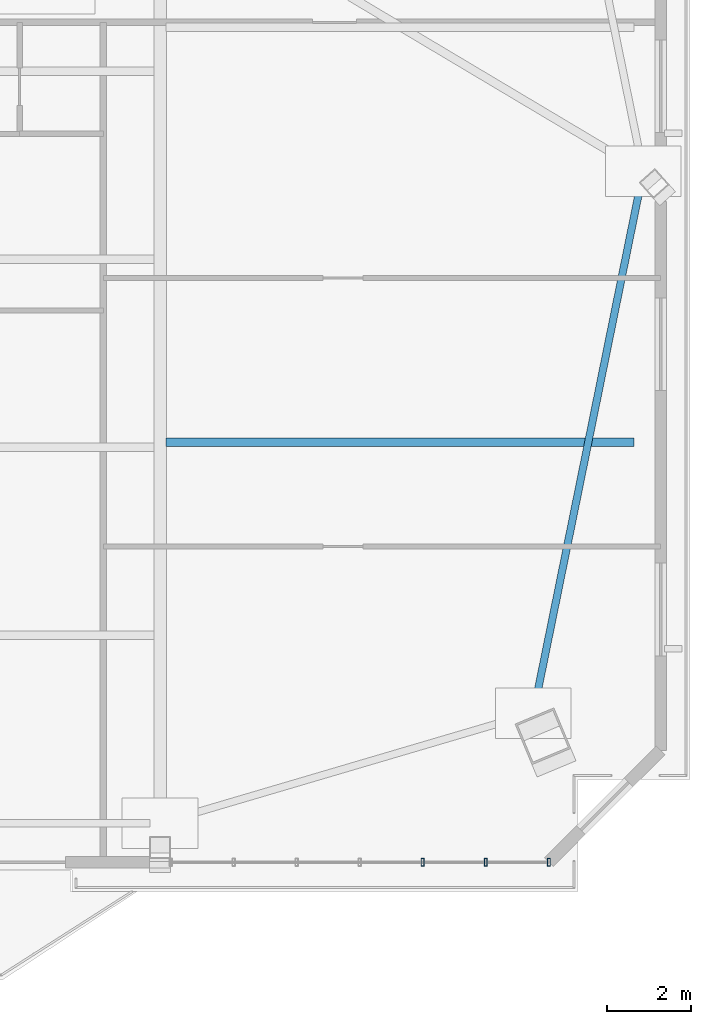
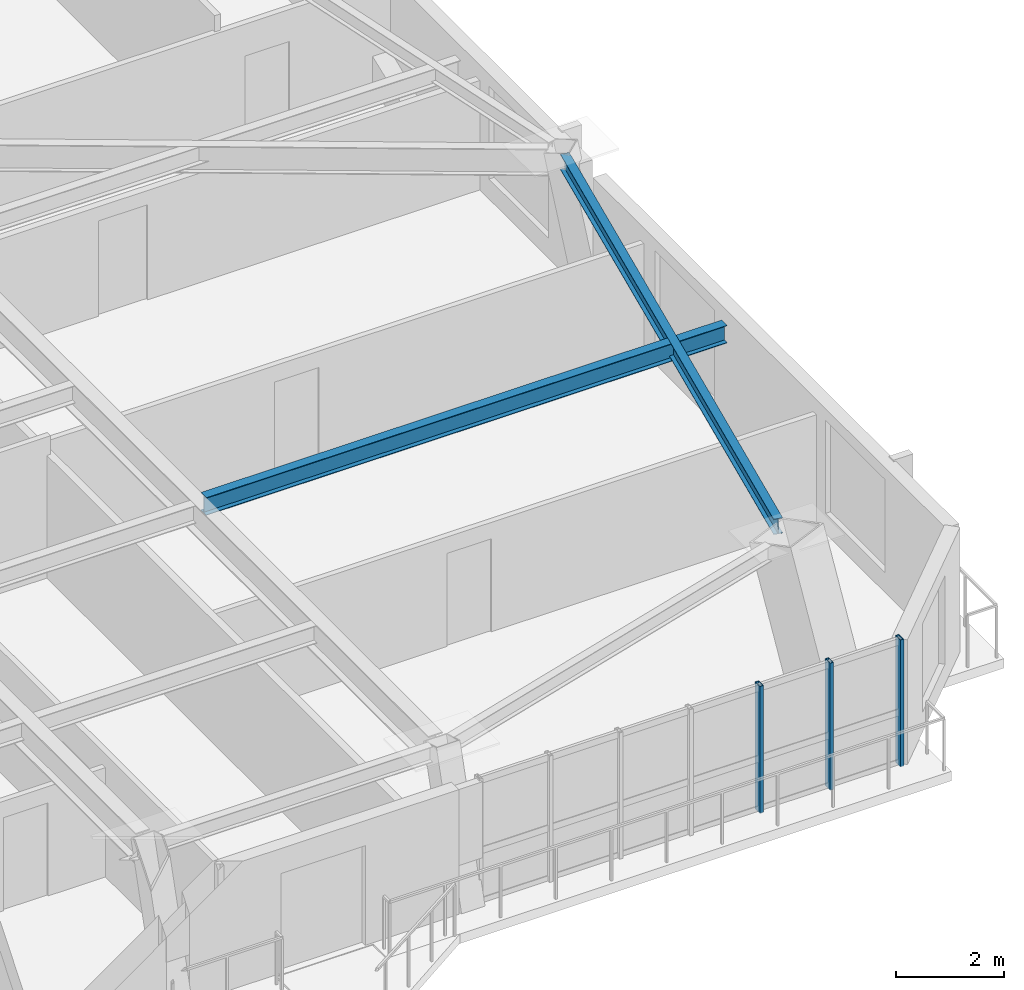
# One storey, part 6 of 18: 3 members, 2 beams, 1 element without a shape of its own.
"""IFC4 building model written with IfcOpenShell, lengths in metres."""

from ifc_helpers import new_model, si_unit, direction, frame, origin, origin_2d, place, context, subcontext, project, spatial, hollow_rectangle, i_section, extrude, source, transform, mapped, material, layer, layer_set, material_profile, profile_set, type_object, element, aggregate, save


model = new_model("IFC4")

# Units and contexts
model_context = context("Model", 3, precision=1e-05, world=origin(), true_north=direction((0.0, 1.0)))
body_context = subcontext(model_context, "Body", "Model", "MODEL_VIEW")
ifc_project = project(units=[si_unit("LENGTHUNIT", "METRE"), si_unit("AREAUNIT", "SQUARE_METRE"), si_unit("VOLUMEUNIT", "CUBIC_METRE"), si_unit("PLANEANGLEUNIT", "RADIAN"), si_unit("MASSUNIT", "GRAM", prefix="KILO")], contexts=[model_context])

# Site, building, storey
site_placement = place(None, origin())
site = spatial("IfcSite", under=ifc_project, at=site_placement, CompositionType="ELEMENT")
building_placement = place(site_placement, origin())
building = spatial("IfcBuilding", under=site, at=building_placement, Name="Giltprow Tower", CompositionType="ELEMENT")
storey_placement = place(building_placement, frame((0.0, 0.0, 245.10009765625)))
storey = spatial("IfcBuildingStorey", under=building, at=storey_placement, Name="L62", CompositionType="ELEMENT", Elevation=245.10009765625)

# Beams
ifc_material_1 = material(Name="Structural steel Q355B", Category="steel")
ifc_material_profile_1 = material_profile(ifc_material_1, i_section(OverallWidth=0.175048828125, OverallDepth=0.35009765625, WebThickness=0.007080078125, FlangeThickness=0.010986328125, at=origin_2d()), Name="HN 350x175x7x11")
ifc_profile_set_1 = profile_set([ifc_material_profile_1], Name="Structural steel Q355B")
beam_type_1 = type_object("IfcBeamType", Name="BM-SPAN-HN350", PredefinedType="SPANDREL", material=ifc_profile_set_1)
shared_shape_1 = source(origin(), body_context, "Body", "SweptSolid", [
    extrude(i_section(OverallWidth=0.175048828125, OverallDepth=0.35009765625, WebThickness=0.007080078125, FlangeThickness=0.010986328125, at=origin_2d()), origin(), (0.0, 0.0, 1.0), 12.42236328125),
])
beam_1_placement = place(storey_placement, frame((59.51904296875, 18.202880859375, 3.010009765625), z_axis=(0.198912168931, 0.980017320791, 0.0), x_axis=(-0.980017320791, 0.198912168931, 0.0)))
element("IfcBeam", 1, at=beam_1_placement, inside=storey, type_object=beam_type_1, Name="L62 Perimeter Spandrel Beam MC_SE-E_MID", PredefinedType="SPANDREL", context=body_context, shape_type="MappedRepresentation", body=[
    mapped(shared_shape_1, transform((0.0, 0.0, 0.0), x_axis=(1.0, 0.0, 0.0), y_axis=(0.0, 1.0, 0.0), z_axis=(0.0, 0.0, 1.0), scale=1.0)),
])
ifc_material_profile_2 = material_profile(ifc_material_1, i_section(OverallWidth=0.199951171875, OverallDepth=0.39990234375, WebThickness=0.008056640625, FlangeThickness=0.012939453125, at=origin_2d()), Name="HN 400x200x8x13")
ifc_profile_set_2 = profile_set([ifc_material_profile_2], Name="Structural steel Q355B")
beam_type_2 = type_object("IfcBeamType", Name="BM-JOIST-HN400", PredefinedType="JOIST", material=ifc_profile_set_2)
shared_shape_2 = source(origin(), body_context, "Body", "SweptSolid", [
    extrude(i_section(OverallWidth=0.199951171875, OverallDepth=0.39990234375, WebThickness=0.008056640625, FlangeThickness=0.012939453125, at=origin_2d()), origin(), (0.0, 0.0, 1.0), 11.121826171875),
])
beam_2_placement = place(storey_placement, frame((50.695068359375, 24.16796875, 2.98486328125), z_axis=(1.0, 0.0, 0.0), x_axis=(0.0, 1.0, 0.0)))
element("IfcBeam", 2, at=beam_2_placement, inside=storey, type_object=beam_type_2, Name="L62 East Wing Floor Joist 1", PredefinedType="JOIST", context=body_context, shape_type="MappedRepresentation", body=[
    mapped(shared_shape_2, transform((0.0, 0.0, 0.0), x_axis=(1.0, 0.0, 0.0), y_axis=(0.0, 1.0, 0.0), z_axis=(0.0, 0.0, 1.0), scale=1.0)),
])

# Curtain wall, members
ifc_material_2 = material(Name="Anodized bronze", Category="metal")
ifc_layer = layer(ifc_material_2, 0.179931640625, Name="Anodized bronze")
ifc_layer_set = layer_set([ifc_layer], Name="Anodized bronze")
curtain_wall_type = type_object("IfcCurtainWallType", Name="CW-RES-SKY", PredefinedType="NOTDEFINED", material=ifc_layer_set)
curtain_wall_placement = place(storey_placement, origin())
curtain_wall = element("IfcCurtainWall", 3, at=curtain_wall_placement, inside=storey, type_object=curtain_wall_type, Name="L62 South Recessed Curtain Wall 6", PredefinedType="NOTDEFINED")
ifc_material_profile_3 = material_profile(ifc_material_2, hollow_rectangle(XDim=0.074951171875, YDim=0.179931640625, WallThickness=0.008056640625, at=origin_2d()), Name="RHS 180x75x8")
ifc_profile_set_3 = profile_set([ifc_material_profile_3], Name="Anodized bronze")
member_type = type_object("IfcMemberType", Name="CW-MULLION-180x75", PredefinedType="MULLION", material=ifc_profile_set_3)
shared_shape_3 = source(origin(), body_context, "Body", "SweptSolid", [
    extrude(hollow_rectangle(XDim=0.074951171875, YDim=0.179931640625, WallThickness=0.008056640625, at=origin_2d()), origin(), (0.0, 0.0, 1.0), 2.869873046875),
])
member_1_placement = place(storey_placement, frame((56.7939453125, 14.181884765625, -0.02001953125), z_axis=(0.0, 0.0, 1.0), x_axis=(1.0, 0.0, 0.0)))
member_1 = element("IfcMember", 4, at=member_1_placement, type_object=member_type, Name="L62 South Recessed Curtain Wall 6 Mullion 5", PredefinedType="MULLION", context=body_context, shape_type="MappedRepresentation", body=[
    mapped(shared_shape_3, transform((0.0, 0.0, 0.0), x_axis=(1.0, 0.0, 0.0), y_axis=(0.0, 1.0, 0.0), z_axis=(0.0, 0.0, 1.0), scale=1.0)),
])
member_2_placement = place(storey_placement, frame((58.2919921875, 14.181884765625, -0.02001953125), z_axis=(0.0, 0.0, 1.0), x_axis=(1.0, 0.0, 0.0)))
member_2 = element("IfcMember", 5, at=member_2_placement, type_object=member_type, Name="L62 South Recessed Curtain Wall 6 Mullion 6", PredefinedType="MULLION", context=body_context, shape_type="MappedRepresentation", body=[
    mapped(shared_shape_3, transform((0.0, 0.0, 0.0), x_axis=(1.0, 0.0, 0.0), y_axis=(0.0, 1.0, 0.0), z_axis=(0.0, 0.0, 1.0), scale=1.0)),
])
member_3_placement = place(storey_placement, frame((59.791015625, 14.181884765625, -0.02001953125), z_axis=(0.0, 0.0, 1.0), x_axis=(1.0, 0.0, 0.0)))
member_3 = element("IfcMember", 6, at=member_3_placement, type_object=member_type, Name="L62 South Recessed Curtain Wall 6 Mullion 7", PredefinedType="MULLION", context=body_context, shape_type="MappedRepresentation", body=[
    mapped(shared_shape_3, transform((0.0, 0.0, 0.0), x_axis=(1.0, 0.0, 0.0), y_axis=(0.0, 1.0, 0.0), z_axis=(0.0, 0.0, 1.0), scale=1.0)),
])
aggregate(curtain_wall, [member_1, member_2, member_3])

save(model, "model.ifc")
